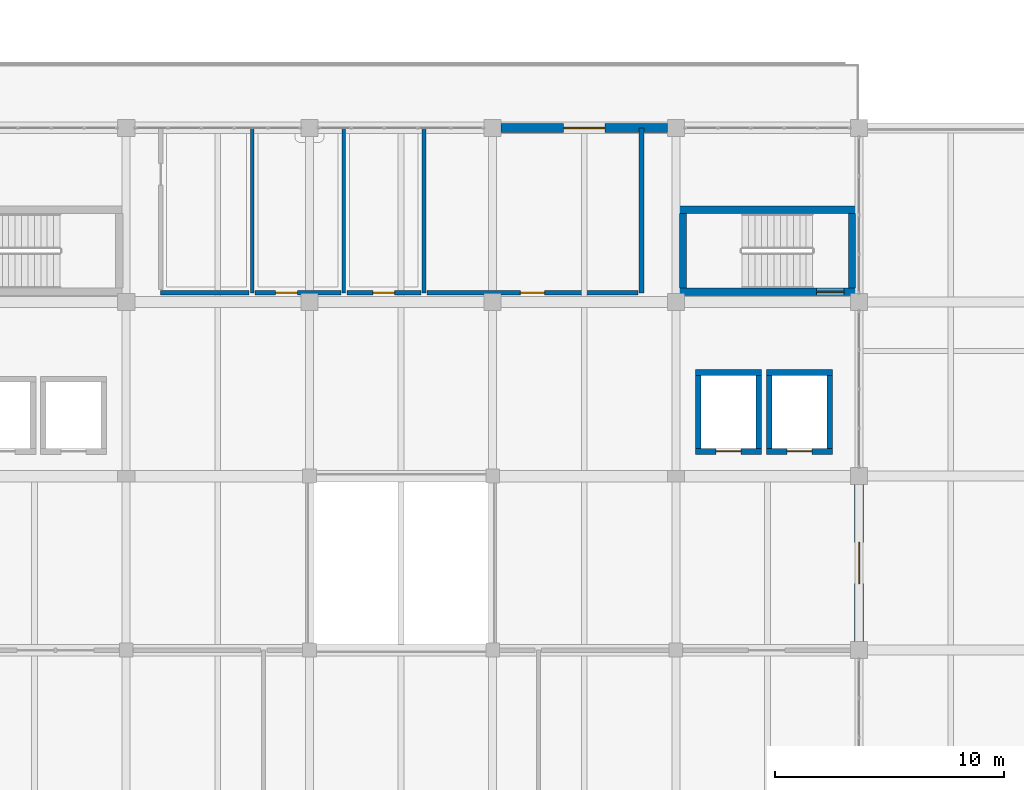
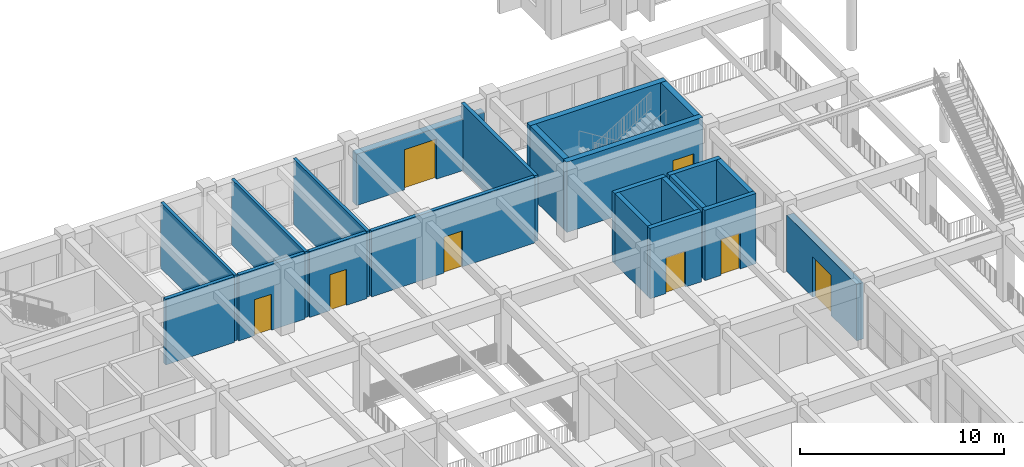
# One storey, part 37 of 63: 22 walls, 8 doors, 8 openings.
"""IFC4 building model written with IfcOpenShell, lengths in metres."""

from ifc_helpers import new_model, si_unit, direction, frame, frame_2d, origin, place, context, subcontext, project, spatial, rectangle, extrude, material, layer, layer_set, type_object, element, fill, save


model = new_model("IFC4")

# Units and contexts
model_context = context("Model", 3, precision=1e-05, world=origin(), true_north=direction((0.0, 1.0)))
body_context = subcontext(model_context, "Body", "Model", "MODEL_VIEW")
ifc_project = project(units=[si_unit("LENGTHUNIT", "METRE"), si_unit("AREAUNIT", "SQUARE_METRE"), si_unit("VOLUMEUNIT", "CUBIC_METRE"), si_unit("PLANEANGLEUNIT", "RADIAN"), si_unit("MASSUNIT", "GRAM", prefix="KILO")], contexts=[model_context])

# Site, building, storey
site_placement = place(None, origin())
site = spatial("IfcSite", under=ifc_project, at=site_placement, CompositionType="ELEMENT")
building_placement = place(site_placement, origin())
building = spatial("IfcBuilding", under=site, at=building_placement, Name="Zantavel Square City Hall", CompositionType="ELEMENT")
storey_placement = place(building_placement, frame((0.0, 0.0, 14.699951171875)))
storey = spatial("IfcBuildingStorey", under=building, at=storey_placement, Name="L04", CompositionType="ELEMENT", Elevation=14.699951171875)

# Wall, opening, door
ifc_material_1 = material(Name="Concrete C40/50", Category="concrete")
ifc_layer_1 = layer(ifc_material_1, 0.320068359375, Name="Concrete C40/50")
ifc_layer_set_1 = layer_set([ifc_layer_1], Name="Concrete C40/50")
wall_type_1 = type_object("IfcWallType", Name="Core Shear Wall RC 320mm C40/50", PredefinedType="SHEAR", material=ifc_layer_set_1)
wall_1_placement = place(storey_placement, frame((103.85009765625, 61.239990234375, 0.0), z_axis=(0.0, 0.0, 1.0), x_axis=(-1.0, 0.0, 0.0)))
wall_1 = element("IfcWall", 1, at=wall_1_placement, inside=storey, type_object=wall_type_1, Name="L04 Exit Stair 6 Central East Core Shear Wall South", PredefinedType="SHEAR", context=body_context, shape_type="SweptSolid", body=[
    extrude(rectangle(XDim=7.7001953125, YDim=0.320068359375, at=frame_2d((3.85009765625, 0.0))), origin(), (0.0, 0.0, 1.0), 4.199951171875),
])
opening_1_placement = place(wall_1_placement, frame((0.5, 0.0, 0.0)))
opening_1 = element("IfcOpeningElement", 2, at=opening_1_placement, cuts=wall_1, Name="Opening SD-030", PredefinedType="OPENING", context=body_context, shape_type="SweptSolid", body=[
    extrude(rectangle(XDim=1.199951171875, YDim=2.199951171875, at=frame_2d((0.60009765625, 1.10009765625))), frame((0.0, 0.169921875, 0.0), z_axis=(0.0, -1.0, 0.0), x_axis=(1.0, 0.0, 0.0)), (0.0, 0.0, 1.0), 0.340087890625),
])
ifc_material_2 = material(Name="Steel ASTM A500 Grade B", Category="steel")
door_type_1 = type_object("IfcDoorType", Name="Enclosed Exit Stairwell Fire Door 1200x2200 FD90S", OperationType="NOTDEFINED", PredefinedType="DOOR", material=ifc_material_2)
door_1_placement = place(opening_1_placement, origin())
door_1 = element("IfcDoor", 3, at=door_1_placement, inside=storey, type_object=door_type_1, Name="L04 Exit Stair 6 Central East Core Fire Door", OperationType="SINGLE_SWING_RIGHT", OverallHeight=2.199951171875, OverallWidth=1.199951171875, PredefinedType="DOOR", context=body_context, shape_type="SweptSolid", body=[
    extrude(rectangle(XDim=1.199951171875, YDim=2.199951171875, at=frame_2d((0.60009765625, 1.10009765625))), frame((0.0, 0.02490234375, 0.0), z_axis=(0.0, -1.0, 0.0), x_axis=(1.0, 0.0, 0.0)), (0.0, 0.0, 1.0), 0.050048828125),
])
fill(opening_1, door_1)

# Walls
wall_2_placement = place(storey_placement, frame((96.31005859375, 61.39990234375, 0.0), z_axis=(0.0, 0.0, 1.0), x_axis=(0.0, 1.0, 0.0)))
element("IfcWall", 4, at=wall_2_placement, inside=storey, type_object=wall_type_1, Name="L04 Exit Stair 6 Central East Core Shear Wall West", PredefinedType="SHEAR", context=body_context, shape_type="SweptSolid", body=[
    extrude(rectangle(XDim=3.27001953125, YDim=0.320068359375, at=frame_2d((1.635009765625, 0.0))), origin(), (0.0, 0.0, 1.0), 4.199951171875),
])
wall_3_placement = place(storey_placement, frame((96.14990234375, 64.830078125, 0.0), z_axis=(0.0, 0.0, 1.0), x_axis=(1.0, 0.0, 0.0)))
element("IfcWall", 5, at=wall_3_placement, inside=storey, type_object=wall_type_1, Name="L04 Exit Stair 6 Central East Core Shear Wall North", PredefinedType="SHEAR", context=body_context, shape_type="SweptSolid", body=[
    extrude(rectangle(XDim=7.7001953125, YDim=0.320068359375, at=frame_2d((3.85009765625, 0.0))), origin(), (0.0, 0.0, 1.0), 4.199951171875),
])
wall_4_placement = place(storey_placement, frame((103.68994140625, 64.669921875, 0.0), z_axis=(0.0, 0.0, 1.0), x_axis=(0.0, -1.0, 0.0)))
element("IfcWall", 6, at=wall_4_placement, inside=storey, type_object=wall_type_1, Name="L04 Exit Stair 6 Central East Core Shear Wall East", PredefinedType="SHEAR", context=body_context, shape_type="SweptSolid", body=[
    extrude(rectangle(XDim=3.27001953125, YDim=0.320068359375, at=frame_2d((1.635009765625, 0.0))), origin(), (0.0, 0.0, 1.0), 4.199951171875),
])
ifc_material_3 = material(Name="Cantera volcanic tuff stone", Category="masonry")
ifc_layer_2 = layer(ifc_material_3, 0.199951171875, Name="Cantera volcanic tuff stone")
ifc_layer_set_2 = layer_set([ifc_layer_2], Name="Cantera volcanic tuff stone")
wall_type_2 = type_object("IfcWallType", Name="Exit Corridor Rated Wall 200mm", PredefinedType="STANDARD", material=ifc_layer_set_2)
wall_5_placement = place(storey_placement, frame((77.3701171875, 61.199951171875, 0.0), z_axis=(0.0, 0.0, 1.0), x_axis=(-1.0, 0.0, 0.0)))
element("IfcWall", 7, at=wall_5_placement, inside=storey, type_object=wall_type_2, Name="L04 Interior Wall IW-L04-0307", PredefinedType="STANDARD", context=body_context, shape_type="SweptSolid", body=[
    extrude(rectangle(XDim=3.8701171875, YDim=0.199951171875, at=frame_2d((1.93505859375, 0.0))), origin(), (0.0, 0.0, 1.0), 3.929931640625),
])

# Wall, opening, door
wall_6_placement = place(storey_placement, frame((81.3701171875, 61.199951171875, 0.0), z_axis=(0.0, 0.0, 1.0), x_axis=(-1.0, 0.0, 0.0)))
wall_6 = element("IfcWall", 8, at=wall_6_placement, inside=storey, type_object=wall_type_2, Name="L04 Interior Wall IW-L04-0310", PredefinedType="STANDARD", context=body_context, shape_type="SweptSolid", body=[
    extrude(rectangle(XDim=3.740234375, YDim=0.199951171875, at=frame_2d((1.8701171875, 0.0))), origin(), (0.0, 0.0, 1.0), 3.929931640625),
])
opening_2_placement = place(wall_6_placement, frame((1.89501953125, 0.0, 0.0)))
opening_2 = element("IfcOpeningElement", 9, at=opening_2_placement, cuts=wall_6, Name="Opening D-0146", PredefinedType="OPENING", context=body_context, shape_type="SweptSolid", body=[
    extrude(rectangle(XDim=0.949951171875, YDim=2.14990234375, at=frame_2d((0.47509765625, 1.074951171875))), frame((0.0, 0.10986328125, 0.0), z_axis=(0.0, -1.0, 0.0), x_axis=(1.0, 0.0, 0.0)), (0.0, 0.0, 1.0), 0.219970703125),
])
ifc_material_4 = material(Name="Solid oak hardwood", Category="wood")
door_type_2 = type_object("IfcDoorType", Name="Corridor Restroom Oak Fire Door 950x2150 FD60S", OperationType="NOTDEFINED", PredefinedType="DOOR", material=ifc_material_4)
door_2_placement = place(opening_2_placement, origin())
door_2 = element("IfcDoor", 10, at=door_2_placement, inside=storey, type_object=door_type_2, Name="L04 L04 Womens Restroom Door", OperationType="SINGLE_SWING_RIGHT", OverallHeight=2.14990234375, OverallWidth=0.949951171875, PredefinedType="DOOR", context=body_context, shape_type="SweptSolid", body=[
    extrude(rectangle(XDim=0.949951171875, YDim=2.14990234375, at=frame_2d((0.47509765625, 1.074951171875))), frame((0.0, 0.02490234375, 0.0), z_axis=(0.0, -1.0, 0.0), x_axis=(1.0, 0.0, 0.0)), (0.0, 0.0, 1.0), 0.050048828125),
])
fill(opening_2, door_2)

wall_7_placement = place(storey_placement, frame((84.8701171875, 61.199951171875, 0.0), z_axis=(0.0, 0.0, 1.0), x_axis=(-1.0, 0.0, 0.0)))
wall_7 = element("IfcWall", 11, at=wall_7_placement, inside=storey, type_object=wall_type_2, Name="L04 Interior Wall IW-L04-0312", PredefinedType="STANDARD", context=body_context, shape_type="SweptSolid", body=[
    extrude(rectangle(XDim=3.240234375, YDim=0.199951171875, at=frame_2d((1.6201171875, 0.0))), origin(), (0.0, 0.0, 1.0), 3.929931640625),
])
opening_3_placement = place(wall_7_placement, frame((1.14501953125, 0.0, 0.0)))
opening_3 = element("IfcOpeningElement", 12, at=opening_3_placement, cuts=wall_7, Name="Opening D-0147", PredefinedType="OPENING", context=body_context, shape_type="SweptSolid", body=[
    extrude(rectangle(XDim=0.949951171875, YDim=2.14990234375, at=frame_2d((0.47509765625, 1.074951171875))), frame((0.0, 0.10986328125, 0.0), z_axis=(0.0, -1.0, 0.0), x_axis=(1.0, 0.0, 0.0)), (0.0, 0.0, 1.0), 0.219970703125),
])
door_3_placement = place(opening_3_placement, origin())
door_3 = element("IfcDoor", 13, at=door_3_placement, inside=storey, type_object=door_type_2, Name="L04 L04 Accessible WC Door", OperationType="SINGLE_SWING_LEFT", OverallHeight=2.14990234375, OverallWidth=0.949951171875, PredefinedType="DOOR", context=body_context, shape_type="SweptSolid", body=[
    extrude(rectangle(XDim=0.949951171875, YDim=2.14990234375, at=frame_2d((0.47509765625, 1.074951171875))), frame((0.0, 0.02490234375, 0.0), z_axis=(0.0, -1.0, 0.0), x_axis=(1.0, 0.0, 0.0)), (0.0, 0.0, 1.0), 0.050048828125),
])
fill(opening_3, door_3)

# Wall
wall_8_placement = place(storey_placement, frame((94.5, 68.39990234375, 0.0), z_axis=(0.0, 0.0, 1.0), x_axis=(0.0, -1.0, 0.0)))
element("IfcWall", 14, at=wall_8_placement, inside=storey, type_object=wall_type_2, Name="L04 Interior Wall IW-L04-0321", PredefinedType="STANDARD", context=body_context, shape_type="SweptSolid", body=[
    extrude(rectangle(XDim=7.199951171875, YDim=0.199951171875, at=frame_2d((3.60009765625, 0.0))), origin(), (0.0, 0.0, 1.0), 3.929931640625),
])

# Wall, opening, door
wall_9_placement = place(storey_placement, frame((94.35009765625, 61.199951171875, 0.0), z_axis=(0.0, 0.0, 1.0), x_axis=(-1.0, 0.0, 0.0)))
wall_9 = element("IfcWall", 15, at=wall_9_placement, inside=storey, type_object=wall_type_2, Name="L04 Interior Wall IW-L04-0322", PredefinedType="STANDARD", context=body_context, shape_type="SweptSolid", body=[
    extrude(rectangle(XDim=9.22021484375, YDim=0.199951171875, at=frame_2d((4.610107421875, 0.0))), origin(), (0.0, 0.0, 1.0), 3.929931640625),
])
opening_4_placement = place(wall_9_placement, frame((4.0849609375, 0.0, 0.0)))
opening_4 = element("IfcOpeningElement", 16, at=opening_4_placement, cuts=wall_9, Name="Opening D-0150", PredefinedType="OPENING", context=body_context, shape_type="SweptSolid", body=[
    extrude(rectangle(XDim=1.050048828125, YDim=2.14990234375, at=frame_2d((0.52490234375, 1.074951171875))), frame((0.0, 0.10986328125, 0.0), z_axis=(0.0, -1.0, 0.0), x_axis=(1.0, 0.0, 0.0)), (0.0, 0.0, 1.0), 0.219970703125),
])
door_type_3 = type_object("IfcDoorType", Name="Corridor Office Oak Fire Door 1050x2150 FD60S", OperationType="NOTDEFINED", PredefinedType="DOOR", material=ifc_material_4)
door_4_placement = place(opening_4_placement, origin())
door_4 = element("IfcDoor", 17, at=door_4_placement, inside=storey, type_object=door_type_3, Name="L04 Legislative Counsel Drafting Office Door", OperationType="SINGLE_SWING_RIGHT", OverallHeight=2.14990234375, OverallWidth=1.050048828125, PredefinedType="DOOR", context=body_context, shape_type="SweptSolid", body=[
    extrude(rectangle(XDim=1.050048828125, YDim=2.14990234375, at=frame_2d((0.52490234375, 1.074951171875))), frame((0.0, 0.02490234375, 0.0), z_axis=(0.0, -1.0, 0.0), x_axis=(1.0, 0.0, 0.0)), (0.0, 0.0, 1.0), 0.050048828125),
])
fill(opening_4, door_4)

ifc_layer_3 = layer(ifc_material_1, 0.25, Name="Concrete C40/50")
ifc_layer_set_3 = layer_set([ifc_layer_3], Name="Concrete C40/50")
wall_type_3 = type_object("IfcWallType", Name="Lift Shaft Wall RC 250mm C40/50", PredefinedType="SHEAR", material=ifc_layer_set_3)
wall_10_placement = place(storey_placement, frame((99.75, 54.27490234375, 0.0), z_axis=(0.0, 0.0, 1.0), x_axis=(-1.0, 0.0, 0.0)))
wall_10 = element("IfcWall", 18, at=wall_10_placement, inside=storey, type_object=wall_type_3, Name="L04 Lift LF03 Shaft Wall South", PredefinedType="SHEAR", context=body_context, shape_type="SweptSolid", body=[
    extrude(rectangle(XDim=2.89990234375, YDim=0.25, at=frame_2d((1.449951171875, 0.0))), origin(), (0.0, 0.0, 1.0), 4.199951171875),
])
opening_5_placement = place(wall_10_placement, frame((0.89990234375, 0.0, 0.0)))
opening_5 = element("IfcOpeningElement", 19, at=opening_5_placement, cuts=wall_10, Name="Opening LD-LF03-L04", PredefinedType="OPENING", context=body_context, shape_type="SweptSolid", body=[
    extrude(rectangle(XDim=1.10009765625, YDim=2.14990234375, at=frame_2d((0.550048828125, 1.074951171875))), frame((0.0, 0.135009765625, 0.0), z_axis=(0.0, -1.0, 0.0), x_axis=(1.0, 0.0, 0.0)), (0.0, 0.0, 1.0), 0.27001953125),
])
ifc_material_5 = material(Name="Stainless steel 316", Category="steel")
door_type_4 = type_object("IfcDoorType", Name="Lift Landing Sliding Door 1100x2150 FD90S", OperationType="NOTDEFINED", PredefinedType="DOOR", material=ifc_material_5)
door_5_placement = place(opening_5_placement, origin())
door_5 = element("IfcDoor", 20, at=door_5_placement, inside=storey, type_object=door_type_4, Name="L04 Lift LF03 Sliding Landing Door", OperationType="DOUBLE_DOOR_SLIDING", OverallHeight=2.14990234375, OverallWidth=1.10009765625, PredefinedType="DOOR", context=body_context, shape_type="SweptSolid", body=[
    extrude(rectangle(XDim=1.10009765625, YDim=2.14990234375, at=frame_2d((0.550048828125, 1.074951171875))), frame((0.0, 0.02490234375, 0.0), z_axis=(0.0, -1.0, 0.0), x_axis=(1.0, 0.0, 0.0)), (0.0, 0.0, 1.0), 0.050048828125),
])
fill(opening_5, door_5)

# Walls
wall_11_placement = place(storey_placement, frame((96.97509765625, 54.39990234375, 0.0), z_axis=(0.0, 0.0, 1.0), x_axis=(0.0, 1.0, 0.0)))
element("IfcWall", 21, at=wall_11_placement, inside=storey, type_object=wall_type_3, Name="L04 Lift LF03 Shaft Wall West", PredefinedType="SHEAR", context=body_context, shape_type="SweptSolid", body=[
    extrude(rectangle(XDim=3.2001953125, YDim=0.25, at=frame_2d((1.60009765625, 0.0))), origin(), (0.0, 0.0, 1.0), 4.199951171875),
])
wall_12_placement = place(storey_placement, frame((96.85009765625, 57.72509765625, 0.0), z_axis=(0.0, 0.0, 1.0), x_axis=(1.0, 0.0, 0.0)))
element("IfcWall", 22, at=wall_12_placement, inside=storey, type_object=wall_type_3, Name="L04 Lift LF03 Shaft Wall North", PredefinedType="SHEAR", context=body_context, shape_type="SweptSolid", body=[
    extrude(rectangle(XDim=2.89990234375, YDim=0.25, at=frame_2d((1.449951171875, 0.0))), origin(), (0.0, 0.0, 1.0), 4.199951171875),
])
wall_13_placement = place(storey_placement, frame((99.625, 57.60009765625, 0.0), z_axis=(0.0, 0.0, 1.0), x_axis=(0.0, -1.0, 0.0)))
element("IfcWall", 23, at=wall_13_placement, inside=storey, type_object=wall_type_3, Name="L04 Lift LF03 Shaft Wall East", PredefinedType="SHEAR", context=body_context, shape_type="SweptSolid", body=[
    extrude(rectangle(XDim=3.2001953125, YDim=0.25, at=frame_2d((1.60009765625, 0.0))), origin(), (0.0, 0.0, 1.0), 4.199951171875),
])

# Wall, opening, door
wall_14_placement = place(storey_placement, frame((102.85009765625, 54.27490234375, 0.0), z_axis=(0.0, 0.0, 1.0), x_axis=(-1.0, 0.0, 0.0)))
wall_14 = element("IfcWall", 24, at=wall_14_placement, inside=storey, type_object=wall_type_3, Name="L04 Lift LF04 Shaft Wall South", PredefinedType="SHEAR", context=body_context, shape_type="SweptSolid", body=[
    extrude(rectangle(XDim=2.900146484375, YDim=0.25, at=frame_2d((1.4501953125, 0.0))), origin(), (0.0, 0.0, 1.0), 4.199951171875),
])
opening_6_placement = place(wall_14_placement, frame((0.89990234375, 0.0, 0.0)))
opening_6 = element("IfcOpeningElement", 25, at=opening_6_placement, cuts=wall_14, Name="Opening LD-LF04-L04", PredefinedType="OPENING", context=body_context, shape_type="SweptSolid", body=[
    extrude(rectangle(XDim=1.10009765625, YDim=2.14990234375, at=frame_2d((0.550048828125, 1.074951171875))), frame((0.0, 0.135009765625, 0.0), z_axis=(0.0, -1.0, 0.0), x_axis=(1.0, 0.0, 0.0)), (0.0, 0.0, 1.0), 0.27001953125),
])
door_6_placement = place(opening_6_placement, origin())
door_6 = element("IfcDoor", 26, at=door_6_placement, inside=storey, type_object=door_type_4, Name="L04 Lift LF04 Sliding Landing Door", OperationType="DOUBLE_DOOR_SLIDING", OverallHeight=2.14990234375, OverallWidth=1.10009765625, PredefinedType="DOOR", context=body_context, shape_type="SweptSolid", body=[
    extrude(rectangle(XDim=1.10009765625, YDim=2.14990234375, at=frame_2d((0.550048828125, 1.074951171875))), frame((0.0, 0.02490234375, 0.0), z_axis=(0.0, -1.0, 0.0), x_axis=(1.0, 0.0, 0.0)), (0.0, 0.0, 1.0), 0.050048828125),
])
fill(opening_6, door_6)

# Walls
wall_15_placement = place(storey_placement, frame((100.074951171875, 54.39990234375, 0.0), z_axis=(0.0, 0.0, 1.0), x_axis=(0.0, 1.0, 0.0)))
element("IfcWall", 27, at=wall_15_placement, inside=storey, type_object=wall_type_3, Name="L04 Lift LF04 Shaft Wall West", PredefinedType="SHEAR", context=body_context, shape_type="SweptSolid", body=[
    extrude(rectangle(XDim=3.2001953125, YDim=0.25, at=frame_2d((1.60009765625, 0.0))), origin(), (0.0, 0.0, 1.0), 4.199951171875),
])
wall_16_placement = place(storey_placement, frame((99.949951171875, 57.72509765625, 0.0), z_axis=(0.0, 0.0, 1.0), x_axis=(1.0, 0.0, 0.0)))
element("IfcWall", 28, at=wall_16_placement, inside=storey, type_object=wall_type_3, Name="L04 Lift LF04 Shaft Wall North", PredefinedType="SHEAR", context=body_context, shape_type="SweptSolid", body=[
    extrude(rectangle(XDim=2.900146484375, YDim=0.25, at=frame_2d((1.4501953125, 0.0))), origin(), (0.0, 0.0, 1.0), 4.199951171875),
])
wall_17_placement = place(storey_placement, frame((102.72509765625, 57.60009765625, 0.0), z_axis=(0.0, 0.0, 1.0), x_axis=(0.0, -1.0, 0.0)))
element("IfcWall", 29, at=wall_17_placement, inside=storey, type_object=wall_type_3, Name="L04 Lift LF04 Shaft Wall East", PredefinedType="SHEAR", context=body_context, shape_type="SweptSolid", body=[
    extrude(rectangle(XDim=3.2001953125, YDim=0.25, at=frame_2d((1.60009765625, 0.0))), origin(), (0.0, 0.0, 1.0), 4.199951171875),
])
ifc_layer_4 = layer(ifc_material_3, 0.159912109375, Name="Cantera volcanic tuff stone")
ifc_layer_set_4 = layer_set([ifc_layer_4], Name="Cantera volcanic tuff stone")
wall_type_4 = type_object("IfcWallType", Name="Restroom Wet-Wall Partition 160mm", PredefinedType="PARTITIONING", material=ifc_layer_set_4)
for number, where, z_axis, x_axis, name in (
    (30, (77.5, 68.39990234375, 0.0), (0.0, 0.0, 1.0), (0.0, -1.0, 0.0), "L04 Interior Wall IW-L04-0306"),
    (31, (81.5, 68.39990234375, 0.0), (0.0, 0.0, 1.0), (0.0, -1.0, 0.0), "L04 Interior Wall IW-L04-0309"),
    (32, (85.0, 68.39990234375, 0.0), (0.0, 0.0, 1.0), (0.0, -1.0, 0.0), "L04 Interior Wall IW-L04-0311"),
):
    element("IfcWall", number, at=place(storey_placement, frame(where, z_axis=z_axis, x_axis=x_axis)), inside=storey, type_object=wall_type_4, Name=name, PredefinedType="PARTITIONING", context=body_context, shape_type="SweptSolid", body=[
        extrude(rectangle(XDim=7.199951171875, YDim=0.159912109375, at=frame_2d((3.60009765625, 0.0))), origin(), (0.0, 0.0, 1.0), 3.929931640625),
    ])

# Wall, opening, door
ifc_material_6 = material(Name="White cantera volcanic tuff stone", Category="masonry")
ifc_layer_5 = layer(ifc_material_6, 0.3798828125, Name="White cantera volcanic tuff stone")
ifc_layer_set_5 = layer_set([ifc_layer_5], Name="White cantera volcanic tuff stone")
wall_type_5 = type_object("IfcWallType", Name="White Cantera Tray Facade Wall 380mm", PredefinedType="STANDARD", material=ifc_layer_set_5)
wall_18_placement = place(storey_placement, frame((88.375, 68.39990234375, 0.0), z_axis=(0.0, 0.0, 1.0), x_axis=(1.0, 0.0, 0.0)))
wall_18 = element("IfcWall", 33, at=wall_18_placement, inside=storey, type_object=wall_type_5, Name="L04 Exterior Wall EW-L04-004", PredefinedType="STANDARD", context=body_context, shape_type="SweptSolid", body=[
    extrude(rectangle(XDim=7.25, YDim=0.3798828125, at=frame_2d((3.625, 0.0))), origin(), (0.0, 0.0, 1.0), 3.070068359375),
])
opening_7_placement = place(wall_18_placement, frame((2.72509765625, 0.0, 0.0)))
opening_7 = element("IfcOpeningElement", 34, at=opening_7_placement, cuts=wall_18, Name="Opening ED-027", PredefinedType="OPENING", context=body_context, shape_type="SweptSolid", body=[
    extrude(rectangle(XDim=1.800048828125, YDim=2.39990234375, at=frame_2d((0.89990234375, 1.199951171875))), frame((0.0, 0.199951171875, 0.0), z_axis=(0.0, -1.0, 0.0), x_axis=(1.0, 0.0, 0.0)), (0.0, 0.0, 1.0), 0.39990234375),
])
ifc_material_7 = material(Name="Anodised aluminium 6063-T6", Category="aluminium")
door_type_5 = type_object("IfcDoorType", Name="Tray Terrace Glazed Double Door 1800x2400", OperationType="NOTDEFINED", PredefinedType="DOOR", material=ifc_material_7)
door_7_placement = place(opening_7_placement, origin())
door_7 = element("IfcDoor", 35, at=door_7_placement, inside=storey, type_object=door_type_5, Name="L04 North Cantera Tray Door", OperationType="DOUBLE_DOOR_SINGLE_SWING", OverallHeight=2.39990234375, OverallWidth=1.800048828125, PredefinedType="DOOR", context=body_context, shape_type="SweptSolid", body=[
    extrude(rectangle(XDim=1.800048828125, YDim=2.39990234375, at=frame_2d((0.89990234375, 1.199951171875))), frame((0.0, 0.02490234375, 0.0), z_axis=(0.0, -1.0, 0.0), x_axis=(1.0, 0.0, 0.0)), (0.0, 0.0, 1.0), 0.050048828125),
])
fill(opening_7, door_7)

wall_19_placement = place(storey_placement, frame((104.0, 52.824951171875, 0.0), z_axis=(0.0, 0.0, 1.0), x_axis=(0.0, -1.0, 0.0)))
wall_19 = element("IfcWall", 36, at=wall_19_placement, inside=storey, type_object=wall_type_5, Name="L04 Exterior Wall EW-L04-008", PredefinedType="STANDARD", context=body_context, shape_type="SweptSolid", body=[
    extrude(rectangle(XDim=6.849853515625, YDim=0.3798828125, at=frame_2d((3.4248046875, 0.0))), origin(), (0.0, 0.0, 1.0), 3.3701171875),
])
opening_8_placement = place(wall_19_placement, frame((2.52490234375, 0.0, 0.0)))
opening_8 = element("IfcOpeningElement", 37, at=opening_8_placement, cuts=wall_19, Name="Opening ED-028", PredefinedType="OPENING", context=body_context, shape_type="SweptSolid", body=[
    extrude(rectangle(XDim=1.800048828125, YDim=2.39990234375, at=frame_2d((0.89990234375, 1.199951171875))), frame((0.0, 0.199951171875, 0.0), z_axis=(0.0, -1.0, 0.0), x_axis=(1.0, 0.0, 0.0)), (0.0, 0.0, 1.0), 0.39990234375),
])
door_8_placement = place(opening_8_placement, origin())
door_8 = element("IfcDoor", 38, at=door_8_placement, inside=storey, type_object=door_type_5, Name="L04 East Step-In Terrace Door", OperationType="DOUBLE_DOOR_SINGLE_SWING", OverallHeight=2.39990234375, OverallWidth=1.800048828125, PredefinedType="DOOR", context=body_context, shape_type="SweptSolid", body=[
    extrude(rectangle(XDim=1.800048828125, YDim=2.39990234375, at=frame_2d((0.89990234375, 1.199951171875))), frame((0.0, 0.02490234375, 0.0), z_axis=(0.0, -1.0, 0.0), x_axis=(1.0, 0.0, 0.0)), (0.0, 0.0, 1.0), 0.050048828125),
])
fill(opening_8, door_8)

save(model, "model.ifc")
